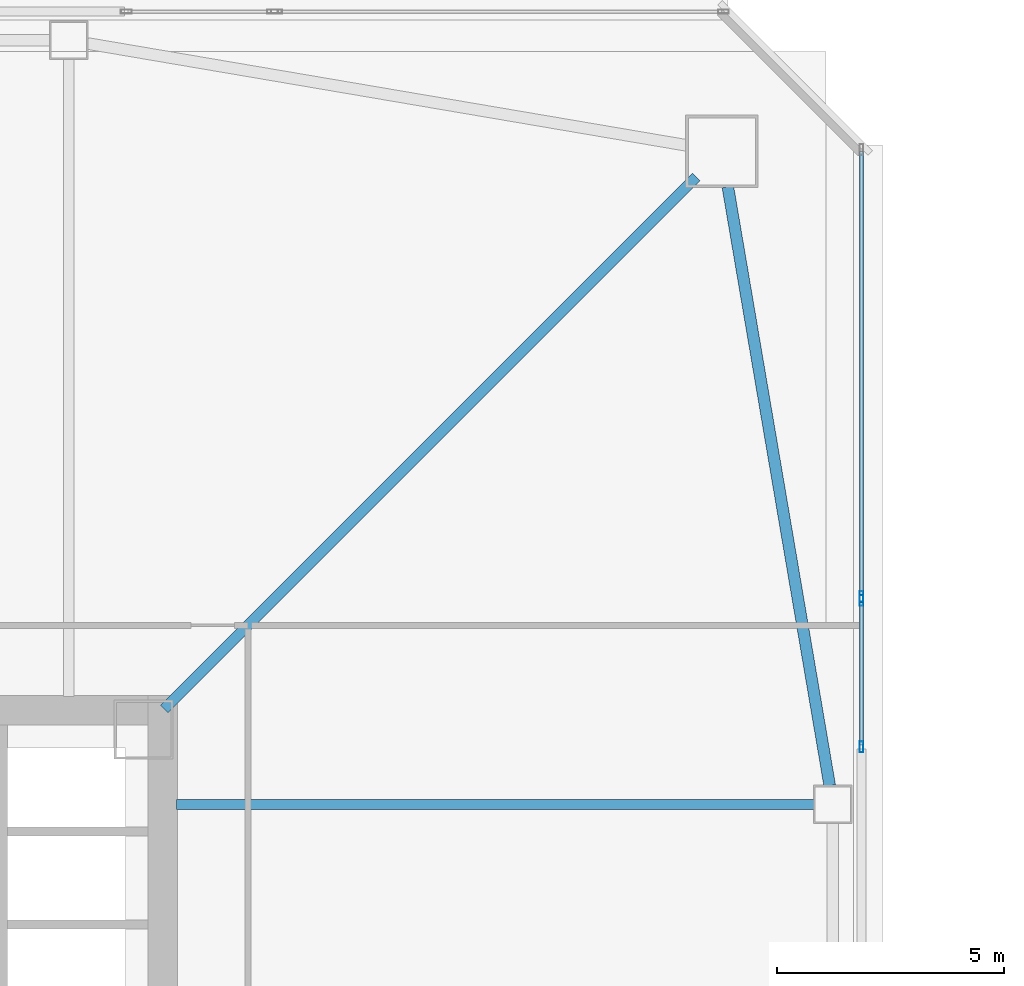
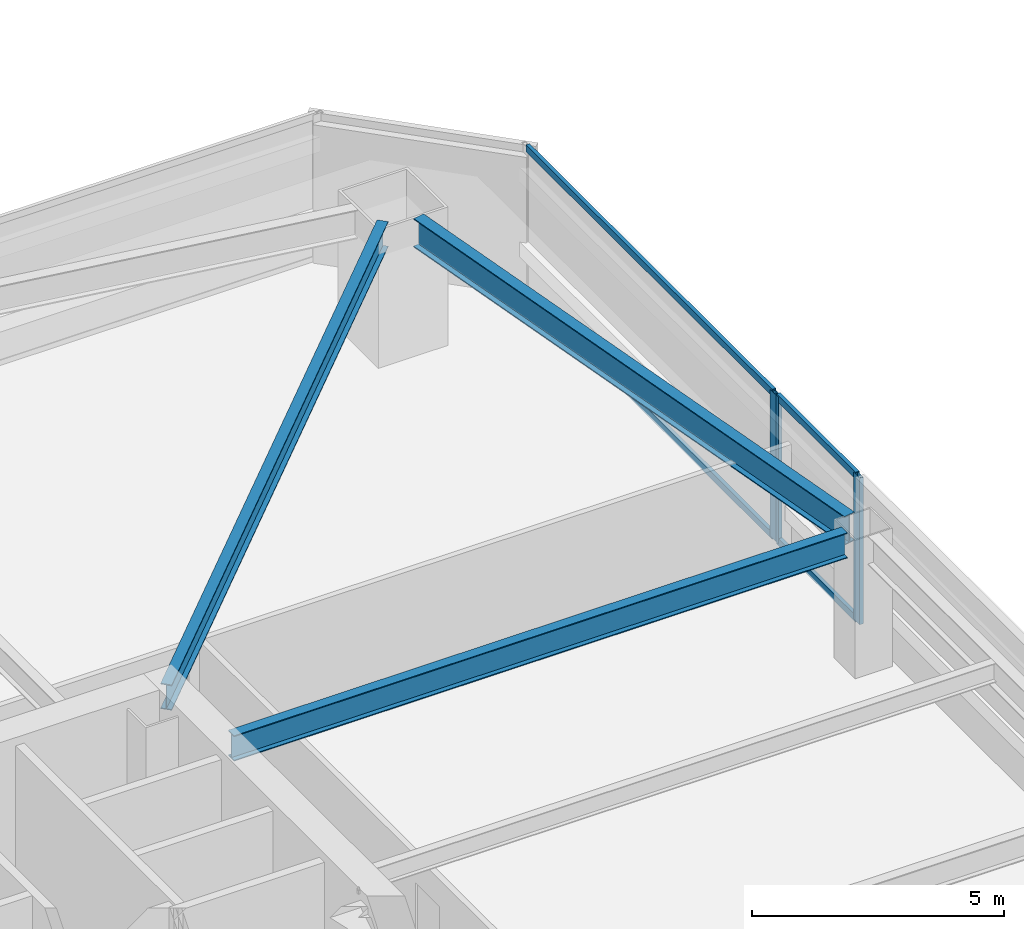
# One storey, part 16 of 46: 7 members, 3 beams, 2 elements without a shape of their own.
"""IFC4 building model written with IfcOpenShell, lengths in metres."""

from ifc_helpers import new_model, si_unit, direction, frame, origin, origin_2d, place, context, subcontext, project, spatial, hollow_rectangle, i_section, extrude, material, material_profile, profile_set, type_object, element, aggregate, save


model = new_model("IFC4")

# Units and contexts
model_context = context("Model", 3, precision=1e-05, world=origin(), true_north=direction((0.0, 1.0)))
body_context = subcontext(model_context, "Body", "Model", "MODEL_VIEW")
ifc_project = project(units=[si_unit("LENGTHUNIT", "METRE"), si_unit("AREAUNIT", "SQUARE_METRE"), si_unit("VOLUMEUNIT", "CUBIC_METRE"), si_unit("PLANEANGLEUNIT", "RADIAN"), si_unit("MASSUNIT", "GRAM", prefix="KILO")], contexts=[model_context])

# Site, building, storey
site_placement = place(None, origin())
site = spatial("IfcSite", under=ifc_project, at=site_placement, CompositionType="ELEMENT")
building_placement = place(site_placement, origin())
building = spatial("IfcBuilding", under=site, at=building_placement, Name="Tashvorn Skyway Center", CompositionType="ELEMENT")
storey_placement = place(building_placement, frame((0.0, 0.0, 31.699951171875)))
storey = spatial("IfcBuildingStorey", under=building, at=storey_placement, Name="L07", CompositionType="ELEMENT", Elevation=31.699951171875)

# Beams
ifc_material_1 = material(Name="Steel ASTM A992 Grade 50", Category="steel")
ifc_material_profile_1 = material_profile(ifc_material_1, i_section(OverallWidth=0.22998046875, OverallDepth=0.616943359375, WebThickness=0.01318359375, FlangeThickness=0.022216796875, at=origin_2d()), Name="W24X94")
ifc_profile_set_1 = profile_set([ifc_material_profile_1], Name="Steel ASTM A992 Grade 50")
beam_type_1 = type_object("IfcBeamType", Name="BM-BEAM-W24X94", PredefinedType="BEAM", material=ifc_profile_set_1)
beam_1_placement = place(storey_placement, frame((61.23779296875, 51.23779296875, 3.04150390625), z_axis=(-0.707106781187, -0.707106781187, 0.0), x_axis=(0.707106781187, -0.707106781187, 0.0)))
element("IfcBeam", 1, at=beam_1_placement, inside=storey, type_object=beam_type_1, Name="Tower 1 L07 Primary Floor Girder MC-NE", PredefinedType="BEAM", context=body_context, shape_type="SweptSolid", body=[
    extrude(i_section(OverallWidth=0.22998046875, OverallDepth=0.616943359375, WebThickness=0.01318359375, FlangeThickness=0.022216796875, at=origin_2d()), origin(), (0.0, 0.0, 1.0), 16.591064453125),
])
beam_2_placement = place(storey_placement, frame((63.830078125, 37.39990234375, 3.04150390625), z_axis=(-1.0, 0.0, 0.0), x_axis=(0.0, -1.0, 0.0)))
element("IfcBeam", 2, at=beam_2_placement, inside=storey, type_object=beam_type_1, Name="Tower 1 L07 Primary Floor Girder FC-E2", PredefinedType="BEAM", context=body_context, shape_type="SweptSolid", body=[
    extrude(i_section(OverallWidth=0.22998046875, OverallDepth=0.616943359375, WebThickness=0.01318359375, FlangeThickness=0.022216796875, at=origin_2d()), origin(), (0.0, 0.0, 1.0), 14.050048828125),
])
ifc_material_profile_2 = material_profile(ifc_material_1, i_section(OverallWidth=0.256103515625, OverallDepth=0.693115234375, WebThickness=0.014404296875, FlangeThickness=0.023681640625, at=origin_2d()), Name="W27X114")
ifc_profile_set_2 = profile_set([ifc_material_profile_2], Name="Steel ASTM A992 Grade 50")
beam_type_2 = type_object("IfcBeamType", Name="BM-SPANDREL-W27X114", PredefinedType="SPANDREL", material=ifc_profile_set_2)
beam_3_placement = place(storey_placement, frame((64.179443359375, 37.81396484375, 3.003662109375), z_axis=(-0.16771792509, 0.985835025551, 0.0), x_axis=(-0.985835025551, -0.16771792509, 0.0)))
element("IfcBeam", 3, at=beam_3_placement, inside=storey, type_object=beam_type_2, Name="Tower 1 L07 Spandrel Beam 06", PredefinedType="SPANDREL", context=body_context, shape_type="SweptSolid", body=[
    extrude(i_section(OverallWidth=0.256103515625, OverallDepth=0.693115234375, WebThickness=0.014404296875, FlangeThickness=0.023681640625, at=origin_2d()), origin(), (0.0, 0.0, 1.0), 13.39208984375),
])

# Curtain wall, member
ifc_material_2 = material(Name="Thermally broken bronze-anodized aluminium 6063-T6", Category="aluminium")
curtain_wall_type = type_object("IfcCurtainWallType", Name="CW-CW-Z1", PredefinedType="NOTDEFINED", material=ifc_material_2)
curtain_wall_1_placement = place(storey_placement, origin())
curtain_wall_1 = element("IfcCurtainWall", 4, at=curtain_wall_1_placement, inside=storey, type_object=curtain_wall_type, Name="Tower 1 L07 East Unitised Curtain Wall Glazing Group 1", PredefinedType="NOTDEFINED")
ifc_material_profile_3 = material_profile(ifc_material_2, hollow_rectangle(XDim=0.0849609375, YDim=0.239990234375, WallThickness=0.0048828125, at=origin_2d()), Name="ALU-MULL-85x240")
ifc_profile_set_3 = profile_set([ifc_material_profile_3], Name="Thermally broken bronze-anodized aluminium 6063-T6")
member_type_1 = type_object("IfcMemberType", Name="CWM-CW-Z1", PredefinedType="MULLION", material=ifc_profile_set_3)
member_1_placement = place(storey_placement, frame((64.8798828125, 41.982421875, 0.0), z_axis=(0.0, 0.0, 1.0), x_axis=(1.0, 0.0, 0.0)))
member_1 = element("IfcMember", 5, at=member_1_placement, type_object=member_type_1, Name="CW-Z1 mullion 2", PredefinedType="MULLION", context=body_context, shape_type="SweptSolid", body=[
    extrude(hollow_rectangle(XDim=0.0849609375, YDim=0.239990234375, WallThickness=0.0048828125, at=origin_2d()), origin(), (0.0, 0.0, 1.0), 3.550048828125),
])

# Curtain wall, members
curtain_wall_2_placement = place(storey_placement, origin())
curtain_wall_2 = element("IfcCurtainWall", 6, at=curtain_wall_2_placement, inside=storey, type_object=curtain_wall_type, Name="Tower 1 L07 East Unitised Curtain Wall Glazing Group 2", PredefinedType="NOTDEFINED")
member_2_placement = place(storey_placement, frame((64.8798828125, 41.8974609375, 0.0), z_axis=(0.0, 0.0, 1.0), x_axis=(1.0, 0.0, 0.0)))
member_2 = element("IfcMember", 7, at=member_2_placement, type_object=member_type_1, Name="CW-Z1 mullion 1", PredefinedType="MULLION", context=body_context, shape_type="SweptSolid", body=[
    extrude(hollow_rectangle(XDim=0.0849609375, YDim=0.239990234375, WallThickness=0.0048828125, at=origin_2d()), origin(), (0.0, 0.0, 1.0), 3.550048828125),
])
member_3_placement = place(storey_placement, frame((64.8798828125, 38.669189453125, 0.0), z_axis=(0.0, 0.0, 1.0), x_axis=(1.0, 0.0, 0.0)))
member_3 = element("IfcMember", 8, at=member_3_placement, type_object=member_type_1, Name="CW-Z1 mullion 2", PredefinedType="MULLION", context=body_context, shape_type="SweptSolid", body=[
    extrude(hollow_rectangle(XDim=0.0849609375, YDim=0.239990234375, WallThickness=0.0048828125, at=origin_2d()), origin(), (0.0, 0.0, 1.0), 3.550048828125),
])

# Member
ifc_material_profile_4 = material_profile(ifc_material_2, hollow_rectangle(XDim=0.0849609375, YDim=0.1650390625, WallThickness=0.0048828125, at=origin_2d()), Name="ALU-TRAN-85x165")
ifc_profile_set_4 = profile_set([ifc_material_profile_4], Name="Thermally broken bronze-anodized aluminium 6063-T6")
member_type_2 = type_object("IfcMemberType", Name="CWT-CW-Z1", PredefinedType="USERDEFINED", material=ifc_profile_set_4)
member_4_placement = place(storey_placement, frame((64.8798828125, 51.794921875, 0.04248046875), z_axis=(0.0, -1.0, 0.0), x_axis=(1.0, 0.0, 0.0)))
member_4 = element("IfcMember", 9, at=member_4_placement, type_object=member_type_2, Name="CW-Z1 transom 1.1", ObjectType="TRANSOM", PredefinedType="USERDEFINED", context=body_context, shape_type="SweptSolid", body=[
    extrude(hollow_rectangle(XDim=0.0849609375, YDim=0.1650390625, WallThickness=0.0048828125, at=origin_2d()), origin(), (0.0, 0.0, 1.0), 9.77001953125),
])

member_5_placement = place(storey_placement, frame((64.8798828125, 51.794921875, 3.507568359375), z_axis=(0.0, -1.0, 0.0), x_axis=(1.0, 0.0, 0.0)))
member_5 = element("IfcMember", 10, at=member_5_placement, type_object=member_type_2, Name="CW-Z1 transom 1.2", ObjectType="TRANSOM", PredefinedType="USERDEFINED", context=body_context, shape_type="SweptSolid", body=[
    extrude(hollow_rectangle(XDim=0.0849609375, YDim=0.1650390625, WallThickness=0.0048828125, at=origin_2d()), origin(), (0.0, 0.0, 1.0), 9.77001953125),
])

aggregate(curtain_wall_1, [member_1, member_4, member_5])

member_6_placement = place(storey_placement, frame((64.8798828125, 41.85498046875, 0.04248046875), z_axis=(0.0, -1.0, 0.0), x_axis=(1.0, 0.0, 0.0)))
member_6 = element("IfcMember", 11, at=member_6_placement, type_object=member_type_2, Name="CW-Z1 transom 1.1", ObjectType="TRANSOM", PredefinedType="USERDEFINED", context=body_context, shape_type="SweptSolid", body=[
    extrude(hollow_rectangle(XDim=0.0849609375, YDim=0.1650390625, WallThickness=0.0048828125, at=origin_2d()), origin(), (0.0, 0.0, 1.0), 3.143310546875),
])

member_7_placement = place(storey_placement, frame((64.8798828125, 41.85498046875, 3.507568359375), z_axis=(0.0, -1.0, 0.0), x_axis=(1.0, 0.0, 0.0)))
member_7 = element("IfcMember", 12, at=member_7_placement, type_object=member_type_2, Name="CW-Z1 transom 1.2", ObjectType="TRANSOM", PredefinedType="USERDEFINED", context=body_context, shape_type="SweptSolid", body=[
    extrude(hollow_rectangle(XDim=0.0849609375, YDim=0.1650390625, WallThickness=0.0048828125, at=origin_2d()), origin(), (0.0, 0.0, 1.0), 3.143310546875),
])

aggregate(curtain_wall_2, [member_2, member_3, member_6, member_7])

save(model, "model.ifc")
